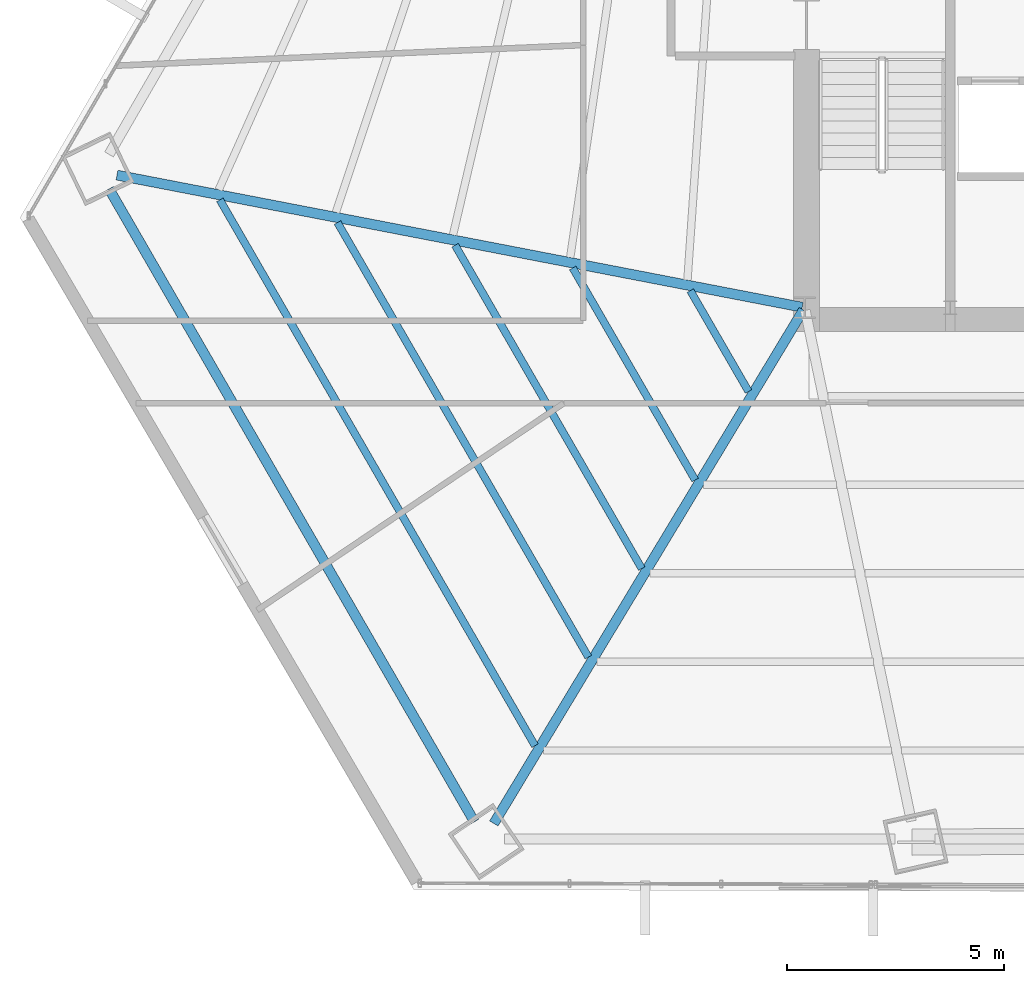
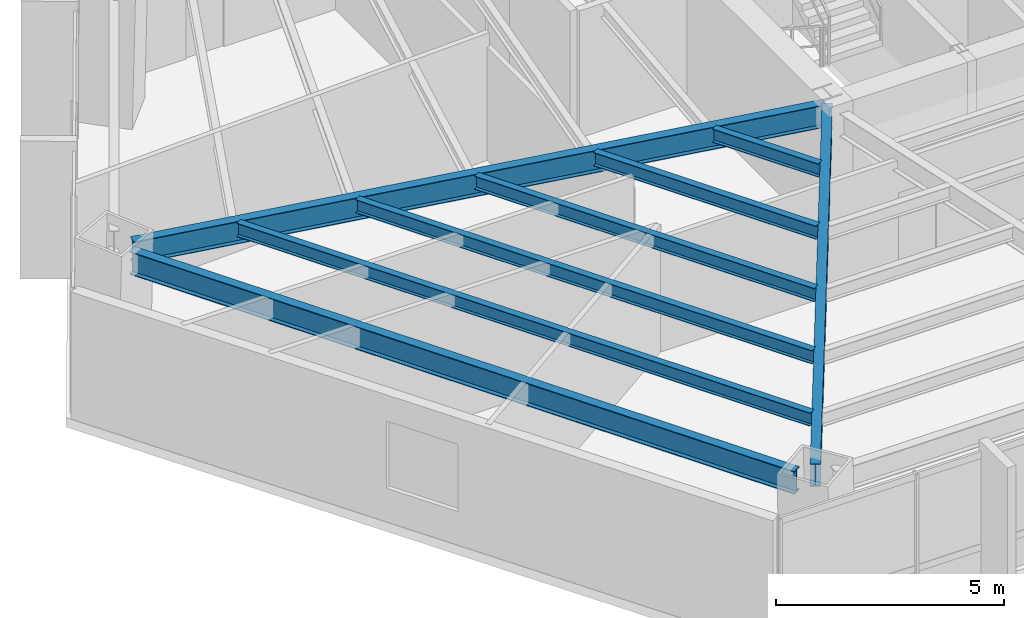
# One storey, part 4 of 33: 8 beams.
"""IFC4 building model written with IfcOpenShell, lengths in metres."""

from ifc_helpers import new_model, si_unit, direction, frame, origin, origin_2d, place, context, subcontext, project, spatial, i_section, extrude, source, transform, mapped, material, material_profile, profile_set, type_object, type_shapes, element, save


model = new_model("IFC4")

# Units and contexts
model_context = context("Model", 3, precision=1e-05, world=origin(), true_north=direction((0.0, 1.0)))
body_context = subcontext(model_context, "Body", "Model", "MODEL_VIEW")
ifc_project = project(units=[si_unit("LENGTHUNIT", "METRE"), si_unit("AREAUNIT", "SQUARE_METRE"), si_unit("VOLUMEUNIT", "CUBIC_METRE"), si_unit("PLANEANGLEUNIT", "RADIAN"), si_unit("MASSUNIT", "GRAM", prefix="KILO")], contexts=[model_context])

# Site, building, storey
site_placement = place(None, origin())
site = spatial("IfcSite", under=ifc_project, at=site_placement, CompositionType="ELEMENT")
building_placement = place(site_placement, origin())
building = spatial("IfcBuilding", under=site, at=building_placement, Name="Caelisora Broadcast Tower", CompositionType="ELEMENT")
storey_placement = place(building_placement, frame((0.0, 0.0, 42.199951171875)))
storey = spatial("IfcBuildingStorey", under=building, at=storey_placement, Name="L10", CompositionType="ELEMENT", Elevation=42.199951171875)

# Beams
ifc_material = material(Name="Steel Grade 350 (AS/NZS 3679.1)", Category="steel")
ifc_material_profile_1 = material_profile(ifc_material, i_section(OverallWidth=0.22900390625, OverallDepth=0.611572265625, WebThickness=0.011962890625, FlangeThickness=0.01953125, at=origin_2d()), Name="Steel Grade 350 (AS/NZS 3679.1)")
ifc_profile_set_1 = profile_set([ifc_material_profile_1], Name="Steel Grade 350 (AS/NZS 3679.1)")
beam_type_1 = type_object("IfcBeamType", Name="PG03", PredefinedType="BEAM", material=ifc_profile_set_1)
shared_shape_1 = source(origin(), body_context, "Body", "SweptSolid", [
    extrude(i_section(OverallWidth=0.22900390625, OverallDepth=0.611572265625, WebThickness=0.011962890625, FlangeThickness=0.01953125, at=origin_2d()), origin(), (0.0, 0.0, 1.0), 16.8310546875),
])
type_shapes(beam_type_1, [shared_shape_1])
beam_1_placement = place(storey_placement, frame((14.476318359375, 20.135986328125, 3.09423828125), z_axis=(0.499998689388, -0.866026160465, 0.0), x_axis=(0.866026160465, 0.499998689388, 0.0)))
element("IfcBeam", 1, at=beam_1_placement, inside=storey, type_object=beam_type_1, Name="L10 beam PG03", PredefinedType="BEAM", context=body_context, shape_type="MappedRepresentation", body=[
    mapped(shared_shape_1, transform((0.0, 0.0, 0.0), scale=1.0)),
])
ifc_material_profile_2 = material_profile(ifc_material, i_section(OverallWidth=0.22802734375, OverallDepth=0.602294921875, WebThickness=0.010498046875, FlangeThickness=0.014892578125, at=origin_2d()), Name="Steel Grade 350 (AS/NZS 3679.1)")
ifc_profile_set_2 = profile_set([ifc_material_profile_2], Name="Steel Grade 350 (AS/NZS 3679.1)")
beam_type_2 = type_object("IfcBeamType", Name="PG04", PredefinedType="BEAM", material=ifc_profile_set_2)
shared_shape_2 = source(origin(), body_context, "Body", "SweptSolid", [
    extrude(i_section(OverallWidth=0.22802734375, OverallDepth=0.602294921875, WebThickness=0.010498046875, FlangeThickness=0.014892578125, at=origin_2d()), origin(), (0.0, 0.0, 1.0), 16.0732421875),
])
beam_2_placement = place(storey_placement, frame((30.441162109375, 17.411376953125, 3.098876953125), z_axis=(-0.981909787793, 0.189349329641, 0.0), x_axis=(-0.189349329641, -0.981909787793, 0.0)))
element("IfcBeam", 2, at=beam_2_placement, inside=storey, type_object=beam_type_2, Name="L10 beam PG04", PredefinedType="BEAM", context=body_context, shape_type="MappedRepresentation", body=[
    mapped(shared_shape_2, transform((0.0, 0.0, 0.0), scale=1.0)),
])
shared_shape_3 = source(origin(), body_context, "Body", "SweptSolid", [
    extrude(i_section(OverallWidth=0.22802734375, OverallDepth=0.602294921875, WebThickness=0.010498046875, FlangeThickness=0.014892578125, at=origin_2d()), origin(), (0.0, 0.0, 1.0), 13.810546875),
])
type_shapes(beam_type_2, [shared_shape_2, shared_shape_3])
beam_3_placement = place(storey_placement, frame((30.468994140625, 17.3486328125, 3.098876953125), z_axis=(-0.516301400979, -0.856406949614, 0.0), x_axis=(0.856406949614, -0.516301400979, 0.0)))
element("IfcBeam", 3, at=beam_3_placement, inside=storey, type_object=beam_type_2, Name="L10 beam PG04", PredefinedType="BEAM", context=body_context, shape_type="MappedRepresentation", body=[
    mapped(shared_shape_3, transform((0.0, 0.0, 0.0), scale=1.0)),
])
ifc_material_profile_3 = material_profile(ifc_material, i_section(OverallWidth=0.172119140625, OverallDepth=0.358642578125, WebThickness=0.008056640625, FlangeThickness=0.012939453125, at=origin_2d()), Name="Steel Grade 350 (AS/NZS 3679.1)")
ifc_profile_set_3 = profile_set([ifc_material_profile_3], Name="Steel Grade 350 (AS/NZS 3679.1)")
beam_type_3 = type_object("IfcBeamType", Name="SB02", PredefinedType="JOIST", material=ifc_profile_set_3)
shared_shape_4 = source(origin(), body_context, "Body", "SweptSolid", [
    extrude(i_section(OverallWidth=0.172119140625, OverallDepth=0.358642578125, WebThickness=0.008056640625, FlangeThickness=0.012939453125, at=origin_2d()), origin(), (0.0, 0.0, 1.0), 2.683349609375),
])
beam_4_placement = place(storey_placement, frame((27.864990234375, 17.794189453125, 3.220703125), z_axis=(0.500053234653, -0.865994666562, 0.0), x_axis=(0.865994666562, 0.500053234653, 0.0)))
element("IfcBeam", 4, at=beam_4_placement, inside=storey, type_object=beam_type_3, Name="L10 beam SB02", PredefinedType="JOIST", context=body_context, shape_type="MappedRepresentation", body=[
    mapped(shared_shape_4, transform((0.0, 0.0, 0.0), scale=1.0)),
])
shared_shape_5 = source(origin(), body_context, "Body", "SweptSolid", [
    extrude(i_section(OverallWidth=0.172119140625, OverallDepth=0.358642578125, WebThickness=0.008056640625, FlangeThickness=0.012939453125, at=origin_2d()), origin(), (0.0, 0.0, 1.0), 5.641845703125),
])
beam_5_placement = place(storey_placement, frame((25.156005859375, 18.316650390625, 3.220703125), z_axis=(0.500015872208, -0.866016239767, 0.0), x_axis=(0.866016239767, 0.500015872208, 0.0)))
element("IfcBeam", 5, at=beam_5_placement, inside=storey, type_object=beam_type_3, Name="L10 beam SB02", PredefinedType="JOIST", context=body_context, shape_type="MappedRepresentation", body=[
    mapped(shared_shape_5, transform((0.0, 0.0, 0.0), scale=1.0)),
])
shared_shape_6 = source(origin(), body_context, "Body", "SweptSolid", [
    extrude(i_section(OverallWidth=0.172119140625, OverallDepth=0.358642578125, WebThickness=0.008056640625, FlangeThickness=0.012939453125, at=origin_2d()), origin(), (0.0, 0.0, 1.0), 8.6005859375),
])
beam_6_placement = place(storey_placement, frame((22.447021484375, 18.839111328125, 3.220703125), z_axis=(0.500004215162, -0.866022970146, 0.0), x_axis=(0.866022970146, 0.500004215162, 0.0)))
element("IfcBeam", 6, at=beam_6_placement, inside=storey, type_object=beam_type_3, Name="L10 beam SB02", PredefinedType="JOIST", context=body_context, shape_type="MappedRepresentation", body=[
    mapped(shared_shape_6, transform((0.0, 0.0, 0.0), scale=1.0)),
])
shared_shape_7 = source(origin(), body_context, "Body", "SweptSolid", [
    extrude(i_section(OverallWidth=0.172119140625, OverallDepth=0.358642578125, WebThickness=0.008056640625, FlangeThickness=0.012939453125, at=origin_2d()), origin(), (0.0, 0.0, 1.0), 11.558837890625),
])
beam_7_placement = place(storey_placement, frame((19.738037109375, 19.361572265625, 3.220703125), z_axis=(0.500007671222, -0.866020974757, 0.0), x_axis=(0.866020974757, 0.500007671222, 0.0)))
element("IfcBeam", 7, at=beam_7_placement, inside=storey, type_object=beam_type_3, Name="L10 beam SB02", PredefinedType="JOIST", context=body_context, shape_type="MappedRepresentation", body=[
    mapped(shared_shape_7, transform((0.0, 0.0, 0.0), scale=1.0)),
])
shared_shape_8 = source(origin(), body_context, "Body", "SweptSolid", [
    extrude(i_section(OverallWidth=0.172119140625, OverallDepth=0.358642578125, WebThickness=0.008056640625, FlangeThickness=0.012939453125, at=origin_2d()), origin(), (0.0, 0.0, 1.0), 14.517333984375),
])
type_shapes(beam_type_3, [shared_shape_4, shared_shape_5, shared_shape_6, shared_shape_7, shared_shape_8])
beam_8_placement = place(storey_placement, frame((17.029296875, 19.8837890625, 3.220703125), z_axis=(0.499989823768, -0.866031278955, 0.0), x_axis=(0.866031278955, 0.499989823768, 0.0)))
element("IfcBeam", 8, at=beam_8_placement, inside=storey, type_object=beam_type_3, Name="L10 beam SB02", PredefinedType="JOIST", context=body_context, shape_type="MappedRepresentation", body=[
    mapped(shared_shape_8, transform((0.0, 0.0, 0.0), scale=1.0)),
])

save(model, "model.ifc")
